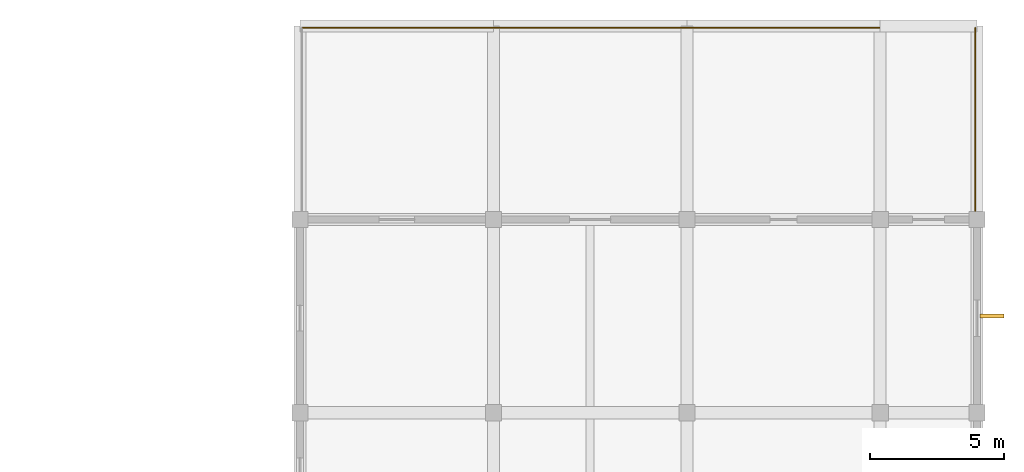
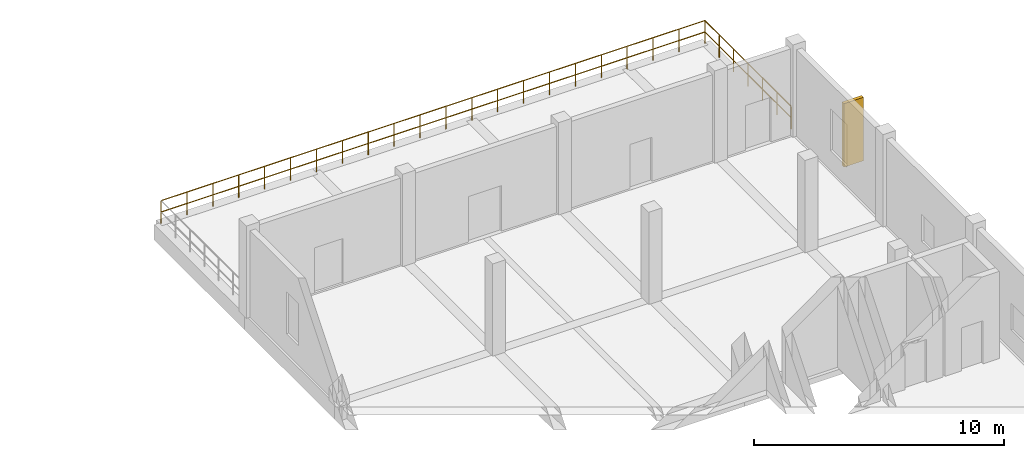
# One storey, part 14 of 14: 2 railings, 1 shading device.
"""IFC4 building model written with IfcOpenShell, lengths in metres."""

from ifc_helpers import new_model, si_unit, direction, frame, origin, origin_2d, place, context, subcontext, project, spatial, rectangle, circle, extrude, material, type_object, element, save


model = new_model("IFC4")

# Units and contexts
model_context = context("Model", 3, precision=1e-05, world=origin(), true_north=direction((0.0, 1.0)))
body_context = subcontext(model_context, "Body", "Model", "MODEL_VIEW")
ifc_project = project(units=[si_unit("LENGTHUNIT", "METRE"), si_unit("AREAUNIT", "SQUARE_METRE"), si_unit("VOLUMEUNIT", "CUBIC_METRE"), si_unit("PLANEANGLEUNIT", "RADIAN"), si_unit("MASSUNIT", "GRAM", prefix="KILO")], contexts=[model_context])

# Site, building, storey
site_placement = place(None, origin())
site = spatial("IfcSite", under=ifc_project, at=site_placement, CompositionType="ELEMENT")
building_placement = place(site_placement, origin())
building = spatial("IfcBuilding", under=site, at=building_placement, Name="Seraya Terrace Polytechnic", CompositionType="ELEMENT")
storey_placement = place(building_placement, frame((0.0, 0.0, 27.89990234375)))
storey = spatial("IfcBuildingStorey", under=building, at=storey_placement, Name="L06", CompositionType="ELEMENT", Elevation=27.89990234375)

# Shading device
ifc_material_1 = material(Name="Precast concrete C40/50", Category="concrete")
shading_device_type = type_object("IfcShadingDeviceType", Name="BS-F1", PredefinedType="JALOUSIE", material=ifc_material_1)
shading_device_placement = place(storey_placement, frame((104.9599609375, 54.0, 0.449951171875), z_axis=(0.0, 0.0, 1.0), x_axis=(1.0, 0.0, 0.0)))
element("IfcShadingDevice", 1, at=shading_device_placement, inside=storey, type_object=shading_device_type, Name="Precast concrete brise-soleil fin L06", PredefinedType="JALOUSIE", context=body_context, shape_type="SweptSolid", body=[
    extrude(rectangle(XDim=0.89990234375, YDim=0.14990234375, at=origin_2d()), origin(), (0.0, 0.0, 1.0), 3.10009765625),
])

# Railings
ifc_material_2 = material(Name="Steel S355J2", Category="steel")
railing_type = type_object("IfcRailingType", Name="GR-01", PredefinedType="GUARDRAIL", material=ifc_material_2)
railing_1_placement = place(storey_placement, frame((104.340087890625, 57.840087890625, 0.0)))
element("IfcRailing", 2, at=railing_1_placement, inside=storey, type_object=railing_type, Name="Terrace perimeter guardrail TERR-L06-N E1", PredefinedType="GUARDRAIL", context=body_context, shape_type="SweptSolid", body=[
    extrude(circle(Radius=0.02392578125, at=origin_2d()), frame((0.0, 0.0, 1.10595703125), z_axis=(0.0, 1.0, 0.0), x_axis=(-1.0, 0.0, 0.0)), (0.0, 0.0, 1.0), 6.89990234375),
    extrude(circle(Radius=0.02392578125, at=origin_2d()), frame((0.0, 0.0, 0.550048828125), z_axis=(0.0, 1.0, 0.0), x_axis=(-1.0, 0.0, 0.0)), (0.0, 0.0, 1.0), 6.89990234375),
    extrude(circle(Radius=0.02099609375, at=origin_2d()), origin(), (0.0, 0.0, 1.0), 1.081787109375),
    extrude(circle(Radius=0.02099609375, at=origin_2d()), frame((0.0, 1.14990234375, 0.0)), (0.0, 0.0, 1.0), 1.081787109375),
    extrude(circle(Radius=0.02099609375, at=origin_2d()), frame((0.0, 2.300048828125, 0.0)), (0.0, 0.0, 1.0), 1.081787109375),
    extrude(circle(Radius=0.02099609375, at=origin_2d()), frame((0.0, 3.449951171875, 0.0)), (0.0, 0.0, 1.0), 1.081787109375),
    extrude(circle(Radius=0.02099609375, at=origin_2d()), frame((0.0, 4.599853515625, 0.0)), (0.0, 0.0, 1.0), 1.081787109375),
    extrude(circle(Radius=0.02099609375, at=origin_2d()), frame((0.0, 5.75, 0.0)), (0.0, 0.0, 1.0), 1.081787109375),
    extrude(circle(Radius=0.02099609375, at=origin_2d()), frame((0.0, 6.89990234375, 0.0)), (0.0, 0.0, 1.0), 1.081787109375),
])
railing_2_placement = place(storey_placement, frame((104.340087890625, 64.739990234375, 0.0)))
element("IfcRailing", 3, at=railing_2_placement, inside=storey, type_object=railing_type, Name="Terrace perimeter guardrail TERR-L06-N N1", PredefinedType="GUARDRAIL", context=body_context, shape_type="SweptSolid", body=[
    extrude(circle(Radius=0.02392578125, at=origin_2d()), frame((0.0, 0.0, 1.10595703125), z_axis=(-1.0, 0.0, 0.0), x_axis=(0.0, -1.0, 0.0)), (0.0, 0.0, 1.0), 25.080078125),
    extrude(circle(Radius=0.02392578125, at=origin_2d()), frame((0.0, 0.0, 0.550048828125), z_axis=(-1.0, 0.0, 0.0), x_axis=(0.0, -1.0, 0.0)), (0.0, 0.0, 1.0), 25.080078125),
    extrude(circle(Radius=0.02099609375, at=origin_2d()), origin(), (0.0, 0.0, 1.0), 1.081787109375),
    extrude(circle(Radius=0.02099609375, at=origin_2d()), frame((-1.1943359375, 0.0, 0.0)), (0.0, 0.0, 1.0), 1.081787109375),
    extrude(circle(Radius=0.02099609375, at=origin_2d()), frame((-2.388671875, 0.0, 0.0)), (0.0, 0.0, 1.0), 1.081787109375),
    extrude(circle(Radius=0.02099609375, at=origin_2d()), frame((-3.582763671875, 0.0, 0.0)), (0.0, 0.0, 1.0), 1.081787109375),
    extrude(circle(Radius=0.02099609375, at=origin_2d()), frame((-4.777099609375, 0.0, 0.0)), (0.0, 0.0, 1.0), 1.081787109375),
    extrude(circle(Radius=0.02099609375, at=origin_2d()), frame((-5.971435546875, 0.0, 0.0)), (0.0, 0.0, 1.0), 1.081787109375),
    extrude(circle(Radius=0.02099609375, at=origin_2d()), frame((-7.165771484375, 0.0, 0.0)), (0.0, 0.0, 1.0), 1.081787109375),
    extrude(circle(Radius=0.02099609375, at=origin_2d()), frame((-8.360107421875, 0.0, 0.0)), (0.0, 0.0, 1.0), 1.081787109375),
    extrude(circle(Radius=0.02099609375, at=origin_2d()), frame((-9.55419921875, 0.0, 0.0)), (0.0, 0.0, 1.0), 1.081787109375),
    extrude(circle(Radius=0.02099609375, at=origin_2d()), frame((-10.74853515625, 0.0, 0.0)), (0.0, 0.0, 1.0), 1.081787109375),
    extrude(circle(Radius=0.02099609375, at=origin_2d()), frame((-11.94287109375, 0.0, 0.0)), (0.0, 0.0, 1.0), 1.081787109375),
    extrude(circle(Radius=0.02099609375, at=origin_2d()), frame((-13.13720703125, 0.0, 0.0)), (0.0, 0.0, 1.0), 1.081787109375),
    extrude(circle(Radius=0.02099609375, at=origin_2d()), frame((-14.33154296875, 0.0, 0.0)), (0.0, 0.0, 1.0), 1.081787109375),
    extrude(circle(Radius=0.02099609375, at=origin_2d()), frame((-15.52587890625, 0.0, 0.0)), (0.0, 0.0, 1.0), 1.081787109375),
    extrude(circle(Radius=0.02099609375, at=origin_2d()), frame((-16.719970703125, 0.0, 0.0)), (0.0, 0.0, 1.0), 1.081787109375),
    extrude(circle(Radius=0.02099609375, at=origin_2d()), frame((-17.914306640625, 0.0, 0.0)), (0.0, 0.0, 1.0), 1.081787109375),
    extrude(circle(Radius=0.02099609375, at=origin_2d()), frame((-19.108642578125, 0.0, 0.0)), (0.0, 0.0, 1.0), 1.081787109375),
    extrude(circle(Radius=0.02099609375, at=origin_2d()), frame((-20.302978515625, 0.0, 0.0)), (0.0, 0.0, 1.0), 1.081787109375),
    extrude(circle(Radius=0.02099609375, at=origin_2d()), frame((-21.497314453125, 0.0, 0.0)), (0.0, 0.0, 1.0), 1.081787109375),
    extrude(circle(Radius=0.02099609375, at=origin_2d()), frame((-22.69140625, 0.0, 0.0)), (0.0, 0.0, 1.0), 1.081787109375),
    extrude(circle(Radius=0.02099609375, at=origin_2d()), frame((-23.8857421875, 0.0, 0.0)), (0.0, 0.0, 1.0), 1.081787109375),
    extrude(circle(Radius=0.02099609375, at=origin_2d()), frame((-25.080078125, 0.0, 0.0)), (0.0, 0.0, 1.0), 1.081787109375),
])

save(model, "model.ifc")
